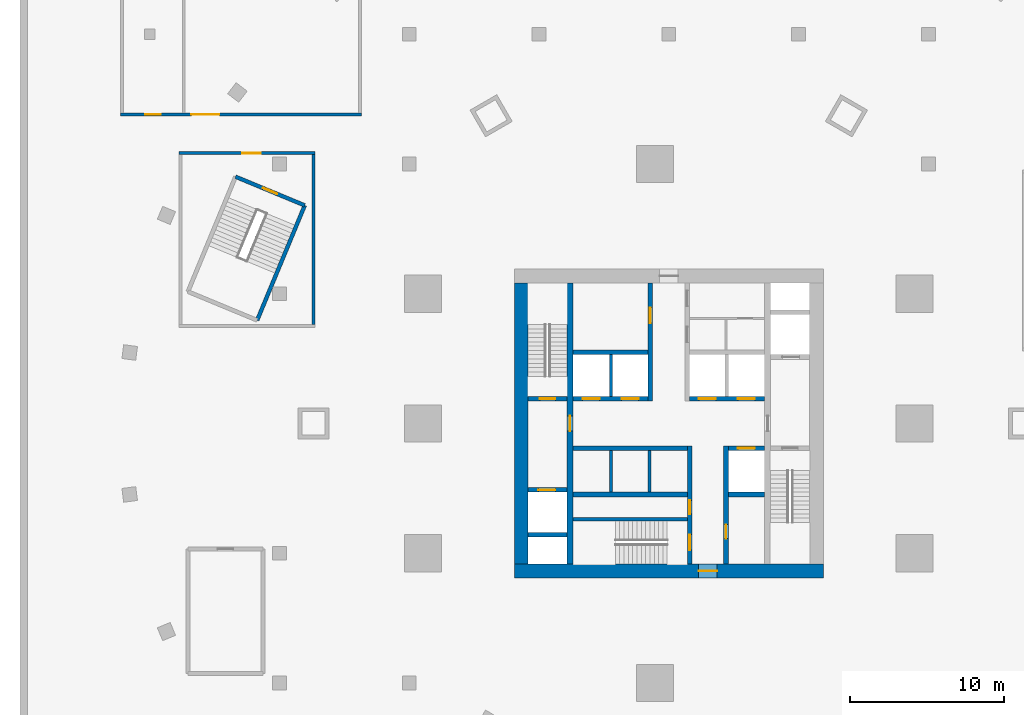
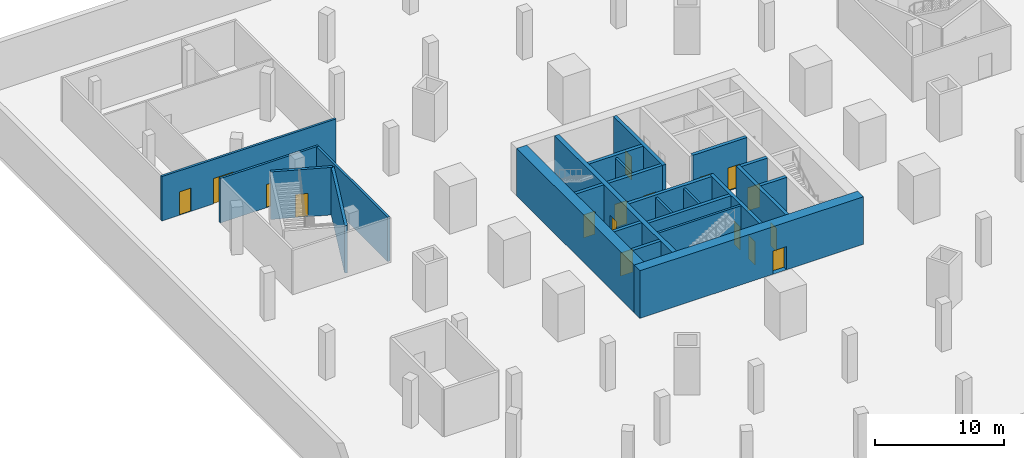
# One storey, part 3 of 9: 25 walls, 17 doors, 17 openings.
"""IFC4 building model written with IfcOpenShell, lengths in metres."""

import ifcopenshell
import ifcopenshell.guid

model = None  # the IFC model being written
_history = None  # IfcOwnerHistory: only IFC2X3 demands one
_inside = {}  # id of a spatial element -> (the spatial element, [elements in it])
_under = {}  # id of a project, library or spatial element -> (it, [spatial elements below it])
_declared = {}  # id of a project -> (the project, [libraries it declares])
_typed = {}  # id of a type object -> (the type object, [elements of that type])
_made_of = {}  # id of a material, layer set ... -> (it, [elements and type objects made of it])


def new_model(schema):
    """Start an empty IFC model of exactly this schema.

    Asked for "IFC4X3", IfcOpenShell would pick the latest addendum, in which some entities
    have other attributes; the version numbers below select the first issue.
    IFC2X3 requires an IfcOwnerHistory on every rooted entity: one is made here for all.
    """
    global model, _history
    if schema == "IFC4X3":
        model = ifcopenshell.file(schema_version=(4, 3, 0, 0))
    else:
        model = ifcopenshell.file(schema=schema)
    _inside.clear()
    _under.clear()
    _declared.clear()
    _typed.clear()
    _made_of.clear()
    _history = None
    if model.schema == "IFC2X3":
        org = make("IfcOrganization", Name="unknown")
        user = make(
            "IfcPersonAndOrganization",
            ThePerson=make("IfcPerson", FamilyName="unknown"),
            TheOrganization=org,
        )
        app = make(
            "IfcApplication",
            ApplicationDeveloper=org,
            Version="unknown",
            ApplicationFullName="unknown",
            ApplicationIdentifier="unknown",
        )
        _history = make(
            "IfcOwnerHistory",
            OwningUser=user,
            OwningApplication=app,
            ChangeAction="ADDED",
            CreationDate=0,
        )
    return model


def make(cls, **values):
    """One entity of the class cls with the attributes given. An attribute that is None is left unset."""
    return model.create_entity(
        cls, **{name: value for name, value in values.items() if value is not None}
    )


def rooted(cls, **values):
    """An entity with a GlobalId (a new one), such as an element, a storey or a relation."""
    return make(cls, GlobalId=ifcopenshell.guid.new(), OwnerHistory=_history, **values)


def si_unit(unit_type, name, prefix=None):
    """IfcSIUnit, for example si_unit("LENGTHUNIT", "METRE", prefix="MILLI")."""
    return make("IfcSIUnit", UnitType=unit_type, Prefix=prefix, Name=name)


def assignment(units):
    """IfcUnitAssignment: the units of a project."""
    return None if units is None else make("IfcUnitAssignment", Units=units)


def point(xyz):
    """IfcCartesianPoint."""
    return None if xyz is None else make("IfcCartesianPoint", Coordinates=xyz)


def direction(xyz):
    """IfcDirection."""
    return None if xyz is None else make("IfcDirection", DirectionRatios=xyz)


def frame(location, z_axis=None, x_axis=None):
    """IfcAxis2Placement3D, a coordinate frame: its origin and axes. An axis left out is left unset."""
    return make(
        "IfcAxis2Placement3D",
        Location=point(location),
        Axis=direction(z_axis),
        RefDirection=direction(x_axis),
    )


def frame_2d(location, x_axis=None):
    """IfcAxis2Placement2D, a coordinate frame in the plane: its origin and x axis."""
    return make(
        "IfcAxis2Placement2D", Location=point(location), RefDirection=direction(x_axis)
    )


def origin():
    """The frame at (0, 0, 0) with its axes left unset."""
    return frame((0.0, 0.0, 0.0))


def place(relative_to, where):
    """IfcLocalPlacement: puts the frame where relative to a parent placement (None: the world)."""
    return make(
        "IfcLocalPlacement", PlacementRelTo=relative_to, RelativePlacement=where
    )


def context(
    kind, dimensions, precision=None, world=None, true_north=None, identifier=None
):
    """IfcGeometricRepresentationContext, for example the 3D "Model" context."""
    return make(
        "IfcGeometricRepresentationContext",
        ContextIdentifier=identifier,
        ContextType=kind,
        CoordinateSpaceDimension=dimensions,
        Precision=precision,
        WorldCoordinateSystem=world,
        TrueNorth=true_north,
    )


def subcontext(parent, identifier, kind, view, scale=None):
    """IfcGeometricRepresentationSubContext, for example "Body" below "Model"."""
    return make(
        "IfcGeometricRepresentationSubContext",
        ContextIdentifier=identifier,
        ContextType=kind,
        ParentContext=parent,
        TargetScale=scale,
        TargetView=view,
    )


def project(units=None, contexts=None):
    """IfcProject with its units and contexts."""
    return rooted(
        "IfcProject",
        Name="project",
        RepresentationContexts=contexts,
        UnitsInContext=assignment(units),
    )


def spatial(cls, under=None, at=None, **own):
    """A site, building, storey or space (cls), placed at a placement, below another one or the project."""
    s = rooted(cls, ObjectPlacement=at, **own)
    if under is not None:
        _under.setdefault(under.id(), (under, []))[1].append(s)
    return s


def profile(cls, at=None, kind="AREA", **sizes):
    """A parametric profile (cls). Its sizes go by their IFC names, for example OverallWidth=200.0."""
    return make(cls, ProfileType=kind, Position=at, **sizes)


def rectangle(**sizes):
    """IfcRectangleProfileDef."""
    return profile("IfcRectangleProfileDef", **sizes)


def extrude(swept, where, along, depth):
    """IfcExtrudedAreaSolid: the profile swept, set in the frame where, extruded along a direction by depth."""
    return make(
        "IfcExtrudedAreaSolid",
        SweptArea=swept,
        Position=where,
        ExtrudedDirection=direction(along),
        Depth=depth,
    )


def shape(context_of_items, identifier, shape_type, items):
    """IfcShapeRepresentation: the items that make up one representation, for example the "Body"."""
    return make(
        "IfcShapeRepresentation",
        ContextOfItems=context_of_items,
        RepresentationIdentifier=identifier,
        RepresentationType=shape_type,
        Items=items,
    )


def material(Name=None, Category=None):
    """IfcMaterial."""
    return make("IfcMaterial", Name=Name, Category=Category)


def layer(
    of_material, thickness, ventilated=None, Name=None, Category=None, Priority=None
):
    """IfcMaterialLayer: one layer of a wall or slab, of a material (None: an air gap)."""
    return make(
        "IfcMaterialLayer",
        Material=of_material,
        LayerThickness=thickness,
        IsVentilated=ventilated,
        Name=Name,
        Category=Category,
        Priority=Priority,
    )


def layer_set(layers, Name=None):
    """IfcMaterialLayerSet."""
    return make("IfcMaterialLayerSet", MaterialLayers=layers, LayerSetName=Name)


def made_of(thing, what):
    """Note that an element or type object is made of a material, layer set ...; save() writes the relation."""
    if what is not None:
        _made_of.setdefault(what.id(), (what, []))[1].append(thing)
    return thing


def type_object(cls, material=None, **own):
    """A type object (cls), such as IfcWallType, which elements share."""
    return made_of(rooted(cls, **own), material)


def element(
    cls,
    number,
    at=None,
    inside=None,
    cuts=None,
    type_object=None,
    material=None,
    context=None,
    identifier="Body",
    shape_type=None,
    held_by="IfcProductDefinitionShape",
    body=None,
    shapes=None,
    **own,
):
    """One element of the class cls, such as IfcWall. Its Tag is "e" and its number.

    at: its placement. inside: the storey or other place that contains it. cuts: it is an
    opening in that element (IfcRelVoidsElement). A single representation is given by context,
    identifier, shape_type and body (its items); several are given by shapes. held_by: the class
    of the entity that holds the representations. save() writes the other relations.
    """
    e = rooted(cls, Tag="e%d" % number, ObjectPlacement=at, **own)
    if body is not None:
        shapes = [shape(context, identifier, shape_type, body)]
    if shapes is not None:
        e.Representation = make(held_by, Representations=shapes)
    if inside is not None:
        _inside.setdefault(inside.id(), (inside, []))[1].append(e)
    if cuts is not None:
        rooted(
            "IfcRelVoidsElement", RelatingBuildingElement=cuts, RelatedOpeningElement=e
        )
    if type_object is not None:
        _typed.setdefault(type_object.id(), (type_object, []))[1].append(e)
    return made_of(e, material)


def fill(opening, filler):
    """IfcRelFillsElement: the door or window that sits in an opening."""
    return rooted(
        "IfcRelFillsElement",
        RelatingOpeningElement=opening,
        RelatedBuildingElement=filler,
    )


def aggregate(whole, parts):
    """IfcRelAggregates: a whole, such as a stair, and the parts it consists of."""
    return rooted("IfcRelAggregates", RelatingObject=whole, RelatedObjects=parts)


def save(model, path):
    """Write the relations noted so far, then the file.

    IfcRelAggregates (storeys below a building ...), IfcRelContainedInSpatialStructure (elements
    in a storey), IfcRelDefinesByType, IfcRelAssociatesMaterial and IfcRelDeclares: one each for
    every whole, place, type object, material and project.
    """
    for whole, parts in _under.values():
        aggregate(whole, parts)
    for where, things in _inside.values():
        rooted(
            "IfcRelContainedInSpatialStructure",
            RelatedElements=things,
            RelatingStructure=where,
        )
    for kind, things in _typed.values():
        rooted("IfcRelDefinesByType", RelatedObjects=things, RelatingType=kind)
    for what, things in _made_of.values():
        rooted("IfcRelAssociatesMaterial", RelatedObjects=things, RelatingMaterial=what)
    for by, libraries in _declared.values():
        rooted("IfcRelDeclares", RelatingContext=by, RelatedDefinitions=libraries)
    model.write(path)


model = new_model("IFC4")

# Units and contexts
model_context = context("Model", 3, precision=1e-05, world=origin(), true_north=direction((0.0, 1.0)))
body_context = subcontext(model_context, "Body", "Model", "MODEL_VIEW")
ifc_project = project(units=[si_unit("LENGTHUNIT", "METRE"), si_unit("AREAUNIT", "SQUARE_METRE"), si_unit("VOLUMEUNIT", "CUBIC_METRE"), si_unit("PLANEANGLEUNIT", "RADIAN"), si_unit("MASSUNIT", "GRAM", prefix="KILO")], contexts=[model_context])

# Site, building, storey
site_placement = place(None, origin())
site = spatial("IfcSite", under=ifc_project, at=site_placement, CompositionType="ELEMENT")
building_placement = place(site_placement, origin())
building = spatial("IfcBuilding", under=site, at=building_placement, Name="Golbaran Civic Tower", CompositionType="ELEMENT")
storey_placement = place(building_placement, frame((0.0, 0.0, -9.0)))
storey = spatial("IfcBuildingStorey", under=building, at=storey_placement, Name="B2", CompositionType="ELEMENT", Elevation=-9.0)

# Wall, openings, doors
ifc_material_1 = material(Name="Concrete block, fire-rated", Category="concrete")
ifc_layer_1 = layer(ifc_material_1, 0.199951171875, Name="Concrete block, fire-rated")
ifc_layer_set_1 = layer_set([ifc_layer_1], Name="Concrete block, fire-rated")
wall_type_1 = type_object("IfcWallType", Name="BASEMENT ROOM WALL 200", PredefinedType="PARTITIONING", material=ifc_layer_set_1)
wall_1_placement = place(storey_placement, frame((-35.5, 20.0, 0.0), z_axis=(0.0, 0.0, 1.0), x_axis=(1.0, 0.0, 0.0)))
wall_1 = element("IfcWall", 1, at=wall_1_placement, inside=storey, type_object=wall_type_1, Name="Secure Archive wall B2", PredefinedType="PARTITIONING", context=body_context, shape_type="SweptSolid", body=[
    extrude(rectangle(XDim=15.60009765625, YDim=0.199951171875, at=frame_2d((7.800048828125, 0.0))), origin(), (0.0, 0.0, 1.0), 4.199951171875),
])
opening_1_placement = place(wall_1_placement, frame((4.60009765625, 0.0, 0.0)))
opening_1 = element("IfcOpeningElement", 2, at=opening_1_placement, cuts=wall_1, Name="Opening B2.03", PredefinedType="OPENING", context=body_context, shape_type="SweptSolid", body=[
    extrude(rectangle(XDim=1.800048828125, YDim=2.39990234375, at=frame_2d((0.89990234375, 1.199951171875))), frame((0.0, 0.10986328125, 0.0), z_axis=(0.0, -1.0, 0.0), x_axis=(1.0, 0.0, 0.0)), (0.0, 0.0, 1.0), 0.219970703125),
])
opening_2_placement = place(wall_1_placement, frame((1.60009765625, 0.0, 0.0)))
opening_2 = element("IfcOpeningElement", 3, at=opening_2_placement, cuts=wall_1, Name="Opening B2.04", PredefinedType="OPENING", context=body_context, shape_type="SweptSolid", body=[
    extrude(rectangle(XDim=1.0, YDim=2.199951171875, at=frame_2d((0.5, 1.10009765625))), frame((0.0, 0.10986328125, 0.0), z_axis=(0.0, -1.0, 0.0), x_axis=(1.0, 0.0, 0.0)), (0.0, 0.0, 1.0), 0.219970703125),
])
ifc_material_2 = material(Name="Steel door set, fire-rated", Category="steel")
door_type_1 = type_object("IfcDoorType", Name="BASEMENT ROOM DOOR 1000x2200", OperationType="SINGLE_SWING_LEFT", PredefinedType="DOOR", material=ifc_material_2)
door_1_placement = place(opening_2_placement, origin())
door_1 = element("IfcDoor", 4, at=door_1_placement, inside=storey, type_object=door_type_1, Name="Records Store door B2", OperationType="SINGLE_SWING_LEFT", OverallHeight=2.199951171875, OverallWidth=1.0, PredefinedType="DOOR", context=body_context, shape_type="SweptSolid", body=[
    extrude(rectangle(XDim=1.0, YDim=2.199951171875, at=frame_2d((0.5, 1.10009765625))), frame((0.0, 0.02490234375, 0.0), z_axis=(0.0, -1.0, 0.0), x_axis=(1.0, 0.0, 0.0)), (0.0, 0.0, 1.0), 0.050048828125),
])
fill(opening_2, door_1)
door_type_2 = type_object("IfcDoorType", Name="BASEMENT ROOM DOUBLE DOOR 1800x2400", OperationType="DOUBLE_DOOR_SINGLE_SWING", PredefinedType="DOOR", material=ifc_material_2)
door_2_placement = place(opening_1_placement, origin())
door_2 = element("IfcDoor", 5, at=door_2_placement, inside=storey, type_object=door_type_2, Name="Secure Archive door B2", OperationType="DOUBLE_DOOR_SINGLE_SWING", OverallHeight=2.39990234375, OverallWidth=1.800048828125, PredefinedType="DOOR", context=body_context, shape_type="SweptSolid", body=[
    extrude(rectangle(XDim=1.800048828125, YDim=2.39990234375, at=frame_2d((0.89990234375, 1.199951171875))), frame((0.0, 0.02490234375, 0.0), z_axis=(0.0, -1.0, 0.0), x_axis=(1.0, 0.0, 0.0)), (0.0, 0.0, 1.0), 0.050048828125),
])
fill(opening_1, door_2)

# Wall, opening, door
ifc_material_3 = material(Name="Concrete C50/60", Category="concrete")
ifc_layer_2 = layer(ifc_material_3, 0.39990234375, Name="Concrete C50/60")
ifc_layer_set_2 = layer_set([ifc_layer_2], Name="Concrete C50/60")
wall_type_2 = type_object("IfcWallType", Name="CORE WALL CONCRETE 400", PredefinedType="SOLIDWALL", material=ifc_layer_set_2)
wall_2_placement = place(storey_placement, frame((-6.39990234375, -9.10009765625, 0.0), z_axis=(0.0, 0.0, 1.0), x_axis=(0.0, 1.0, 0.0)))
wall_2 = element("IfcWall", 6, at=wall_2_placement, inside=storey, type_object=wall_type_2, Name="Core wall IW B2", PredefinedType="SOLIDWALL", context=body_context, shape_type="SweptSolid", body=[
    extrude(rectangle(XDim=18.2001953125, YDim=0.39990234375, at=frame_2d((9.10009765625, 0.0))), origin(), (0.0, 0.0, 1.0), 4.5),
])
opening_3_placement = place(wall_2_placement, frame((8.60009765625, 0.0, 0.0)))
opening_3 = element("IfcOpeningElement", 7, at=opening_3_placement, cuts=wall_2, Name="Opening B2.FL1", PredefinedType="OPENING", context=body_context, shape_type="SweptSolid", body=[
    extrude(rectangle(XDim=1.0, YDim=2.199951171875, at=frame_2d((0.5, 1.10009765625))), frame((0.0, 0.2099609375, 0.0), z_axis=(0.0, -1.0, 0.0), x_axis=(1.0, 0.0, 0.0)), (0.0, 0.0, 1.0), 0.419921875),
])
ifc_material_4 = material(Name="Timber door set in steel frame", Category="steel")
door_type_3 = type_object("IfcDoorType", Name="STAIR DOOR 1000x2200", OperationType="SINGLE_SWING_LEFT", PredefinedType="DOOR", material=ifc_material_4)
door_3_placement = place(opening_3_placement, origin())
door_3 = element("IfcDoor", 8, at=door_3_placement, inside=storey, type_object=door_type_3, Name="Fire-fighting lobby FL1 door", OperationType="SINGLE_SWING_LEFT", OverallHeight=2.199951171875, OverallWidth=1.0, PredefinedType="DOOR", context=body_context, shape_type="SweptSolid", body=[
    extrude(rectangle(XDim=1.0, YDim=2.199951171875, at=frame_2d((0.5, 1.10009765625))), frame((0.0, 0.02490234375, 0.0), z_axis=(0.0, -1.0, 0.0), x_axis=(1.0, 0.0, 0.0)), (0.0, 0.0, 1.0), 0.050048828125),
])
fill(opening_3, door_3)

ifc_layer_3 = layer(ifc_material_3, 0.89990234375, Name="Concrete C50/60")
ifc_layer_set_3 = layer_set([ifc_layer_3], Name="Concrete C50/60")
wall_type_3 = type_object("IfcWallType", Name="CORE WALL CONCRETE 900", PredefinedType="SOLIDWALL", material=ifc_layer_set_3)
wall_3_placement = place(storey_placement, frame((10.0, -9.550048828125, 0.0), z_axis=(0.0, 0.0, 1.0), x_axis=(-1.0, 0.0, 0.0)))
wall_3 = element("IfcWall", 9, at=wall_3_placement, inside=storey, type_object=wall_type_3, Name="Core wall CS B2", PredefinedType="SOLIDWALL", context=body_context, shape_type="SweptSolid", body=[
    extrude(rectangle(XDim=20.0, YDim=0.89990234375, at=frame_2d((10.0, 0.0))), origin(), (0.0, 0.0, 1.0), 4.5),
])
opening_4_placement = place(wall_3_placement, frame((6.875, 0.0, 0.0)))
opening_4 = element("IfcOpeningElement", 10, at=opening_4_placement, cuts=wall_3, Name="Opening B2.CS", PredefinedType="OPENING", context=body_context, shape_type="SweptSolid", body=[
    extrude(rectangle(XDim=1.199951171875, YDim=2.199951171875, at=frame_2d((0.60009765625, 1.10009765625))), frame((0.0, 0.4599609375, 0.0), z_axis=(0.0, -1.0, 0.0), x_axis=(1.0, 0.0, 0.0)), (0.0, 0.0, 1.0), 0.919921875),
])
door_type_4 = type_object("IfcDoorType", Name="CORE DOOR 1200x2200", OperationType="DOUBLE_DOOR_SINGLE_SWING", PredefinedType="DOOR", material=ifc_material_4)
door_4_placement = place(opening_4_placement, origin())
door_4 = element("IfcDoor", 11, at=door_4_placement, inside=storey, type_object=door_type_4, Name="Core door south", OperationType="DOUBLE_DOOR_SINGLE_SWING", OverallHeight=2.199951171875, OverallWidth=1.199951171875, PredefinedType="DOOR", context=body_context, shape_type="SweptSolid", body=[
    extrude(rectangle(XDim=1.199951171875, YDim=2.199951171875, at=frame_2d((0.60009765625, 1.10009765625))), frame((0.0, 0.02490234375, 0.0), z_axis=(0.0, -1.0, 0.0), x_axis=(1.0, 0.0, 0.0)), (0.0, 0.0, 1.0), 0.050048828125),
])
fill(opening_4, door_4)

# Walls
wall_4_placement = place(storey_placement, frame((-9.550048828125, 9.10009765625, 0.0), z_axis=(0.0, 0.0, 1.0), x_axis=(0.0, -1.0, 0.0)))
element("IfcWall", 12, at=wall_4_placement, inside=storey, type_object=wall_type_3, Name="Core wall CW B2", PredefinedType="SOLIDWALL", context=body_context, shape_type="SweptSolid", body=[
    extrude(rectangle(XDim=18.2001953125, YDim=0.89990234375, at=frame_2d((9.10009765625, 0.0))), origin(), (0.0, 0.0, 1.0), 4.5),
])
ifc_material_5 = material(Name="Concrete block", Category="concrete")
ifc_layer_4 = layer(ifc_material_5, 0.199951171875, Name="Concrete block")
ifc_layer_set_4 = layer_set([ifc_layer_4], Name="Concrete block")
wall_type_4 = type_object("IfcWallType", Name="LIFT SEPARATOR WALL 200", PredefinedType="SOLIDWALL", material=ifc_layer_set_4)
for number, where, z_axis, x_axis, name in (
    (13, (-3.75, 1.75, 0.0), (0.0, 0.0, 1.0), (0.0, 1.0, 0.0), "Core partition SNW B2"),
    (14, (-3.75, -1.75, 0.0), (0.0, 0.0, 1.0), (0.0, -1.0, 0.0), "Core partition SSW B2"),
    (15, (-1.25, -1.75, 0.0), (0.0, 0.0, 1.0), (0.0, -1.0, 0.0), "Core partition SSM B2"),
):
    element("IfcWall", number, at=place(storey_placement, frame(where, z_axis=z_axis, x_axis=x_axis)), inside=storey, type_object=wall_type_4, Name=name, PredefinedType="SOLIDWALL", context=body_context, shape_type="SweptSolid", body=[
        extrude(rectangle(XDim=2.699951171875, YDim=0.199951171875, at=frame_2d((1.35009765625, 0.0))), origin(), (0.0, 0.0, 1.0), 4.25),
    ])
ifc_layer_5 = layer(ifc_material_3, 0.199951171875, Name="Concrete C50/60")
ifc_layer_set_5 = layer_set([ifc_layer_5], Name="Concrete C50/60")
wall_type_5 = type_object("IfcWallType", Name="SHAFT WALL CONCRETE 200", PredefinedType="SOLIDWALL", material=ifc_layer_set_5)
wall_5_placement = place(storey_placement, frame((-6.199951171875, -6.199951171875, 0.0), z_axis=(0.0, 0.0, 1.0), x_axis=(1.0, 0.0, 0.0)))
element("IfcWall", 16, at=wall_5_placement, inside=storey, type_object=wall_type_5, Name="Core wall S3N B2", PredefinedType="SOLIDWALL", context=body_context, shape_type="SweptSolid", body=[
    extrude(rectangle(XDim=7.39990234375, YDim=0.199951171875, at=frame_2d((3.699951171875, 0.0))), origin(), (0.0, 0.0, 1.0), 4.5),
])

# Wall, openings, doors
ifc_layer_6 = layer(ifc_material_3, 0.300048828125, Name="Concrete C50/60")
ifc_layer_set_6 = layer_set([ifc_layer_6], Name="Concrete C50/60")
wall_type_6 = type_object("IfcWallType", Name="SHAFT WALL CONCRETE 300", PredefinedType="SOLIDWALL", material=ifc_layer_set_6)
wall_6_placement = place(storey_placement, frame((-6.199951171875, 1.60009765625, 0.0), z_axis=(0.0, 0.0, 1.0), x_axis=(1.0, 0.0, 0.0)))
wall_6 = element("IfcWall", 17, at=wall_6_placement, inside=storey, type_object=wall_type_6, Name="Core wall FNW B2", PredefinedType="SOLIDWALL", context=body_context, shape_type="SweptSolid", body=[
    extrude(rectangle(XDim=4.849853515625, YDim=0.300048828125, at=frame_2d((2.4248046875, 0.0))), origin(), (0.0, 0.0, 1.0), 4.5),
])
opening_5_placement = place(wall_6_placement, frame((0.625, 0.0, 0.0)))
opening_5 = element("IfcOpeningElement", 18, at=opening_5_placement, cuts=wall_6, Name="Opening B2.LD-Z1L", PredefinedType="OPENING", context=body_context, shape_type="SweptSolid", body=[
    extrude(rectangle(XDim=1.10009765625, YDim=2.199951171875, at=frame_2d((0.550048828125, 1.10009765625))), frame((0.0, 0.159912109375, 0.0), z_axis=(0.0, -1.0, 0.0), x_axis=(1.0, 0.0, 0.0)), (0.0, 0.0, 1.0), 0.320068359375),
])
opening_6_placement = place(wall_6_placement, frame((3.14990234375, 0.0, 0.0)))
opening_6 = element("IfcOpeningElement", 19, at=opening_6_placement, cuts=wall_6, Name="Opening B2.LD-Z2L", PredefinedType="OPENING", context=body_context, shape_type="SweptSolid", body=[
    extrude(rectangle(XDim=1.10009765625, YDim=2.199951171875, at=frame_2d((0.550048828125, 1.10009765625))), frame((0.0, 0.159912109375, 0.0), z_axis=(0.0, -1.0, 0.0), x_axis=(1.0, 0.0, 0.0)), (0.0, 0.0, 1.0), 0.320068359375),
])
ifc_material_6 = material(Name="Stainless steel", Category="steel")
door_type_5 = type_object("IfcDoorType", Name="LIFT LANDING DOOR 1100x2200", OperationType="SLIDING_TO_LEFT", PredefinedType="DOOR", material=ifc_material_6)
door_5_placement = place(opening_5_placement, origin())
door_5 = element("IfcDoor", 20, at=door_5_placement, inside=storey, type_object=door_type_5, Name="Lift landing door Z1L", OperationType="SLIDING_TO_LEFT", OverallHeight=2.199951171875, OverallWidth=1.10009765625, PredefinedType="DOOR", context=body_context, shape_type="SweptSolid", body=[
    extrude(rectangle(XDim=1.10009765625, YDim=2.199951171875, at=frame_2d((0.550048828125, 1.10009765625))), frame((0.0, 0.02490234375, 0.0), z_axis=(0.0, -1.0, 0.0), x_axis=(1.0, 0.0, 0.0)), (0.0, 0.0, 1.0), 0.050048828125),
])
fill(opening_5, door_5)
door_6_placement = place(opening_6_placement, origin())
door_6 = element("IfcDoor", 21, at=door_6_placement, inside=storey, type_object=door_type_5, Name="Lift landing door Z2L", OperationType="SLIDING_TO_LEFT", OverallHeight=2.199951171875, OverallWidth=1.10009765625, PredefinedType="DOOR", context=body_context, shape_type="SweptSolid", body=[
    extrude(rectangle(XDim=1.10009765625, YDim=2.199951171875, at=frame_2d((0.550048828125, 1.10009765625))), frame((0.0, 0.02490234375, 0.0), z_axis=(0.0, -1.0, 0.0), x_axis=(1.0, 0.0, 0.0)), (0.0, 0.0, 1.0), 0.050048828125),
])
fill(opening_6, door_6)

wall_7_placement = place(storey_placement, frame((1.35009765625, 1.60009765625, 0.0), z_axis=(0.0, 0.0, 1.0), x_axis=(1.0, 0.0, 0.0)))
wall_7 = element("IfcWall", 22, at=wall_7_placement, inside=storey, type_object=wall_type_6, Name="Core wall FNE B2", PredefinedType="SOLIDWALL", context=body_context, shape_type="SweptSolid", body=[
    extrude(rectangle(XDim=4.849853515625, YDim=0.300048828125, at=frame_2d((2.4248046875, 0.0))), origin(), (0.0, 0.0, 1.0), 4.5),
])
opening_7_placement = place(wall_7_placement, frame((0.60009765625, 0.0, 0.0)))
opening_7 = element("IfcOpeningElement", 23, at=opening_7_placement, cuts=wall_7, Name="Opening B2.LD-Z3L", PredefinedType="OPENING", context=body_context, shape_type="SweptSolid", body=[
    extrude(rectangle(XDim=1.10009765625, YDim=2.199951171875, at=frame_2d((0.550048828125, 1.10009765625))), frame((0.0, 0.159912109375, 0.0), z_axis=(0.0, -1.0, 0.0), x_axis=(1.0, 0.0, 0.0)), (0.0, 0.0, 1.0), 0.320068359375),
])
opening_8_placement = place(wall_7_placement, frame((3.125, 0.0, 0.0)))
opening_8 = element("IfcOpeningElement", 24, at=opening_8_placement, cuts=wall_7, Name="Opening B2.LD-Z4L", PredefinedType="OPENING", context=body_context, shape_type="SweptSolid", body=[
    extrude(rectangle(XDim=1.10009765625, YDim=2.199951171875, at=frame_2d((0.550048828125, 1.10009765625))), frame((0.0, 0.159912109375, 0.0), z_axis=(0.0, -1.0, 0.0), x_axis=(1.0, 0.0, 0.0)), (0.0, 0.0, 1.0), 0.320068359375),
])
door_7_placement = place(opening_7_placement, origin())
door_7 = element("IfcDoor", 25, at=door_7_placement, inside=storey, type_object=door_type_5, Name="Lift landing door Z3L", OperationType="SLIDING_TO_LEFT", OverallHeight=2.199951171875, OverallWidth=1.10009765625, PredefinedType="DOOR", context=body_context, shape_type="SweptSolid", body=[
    extrude(rectangle(XDim=1.10009765625, YDim=2.199951171875, at=frame_2d((0.550048828125, 1.10009765625))), frame((0.0, 0.02490234375, 0.0), z_axis=(0.0, -1.0, 0.0), x_axis=(1.0, 0.0, 0.0)), (0.0, 0.0, 1.0), 0.050048828125),
])
fill(opening_7, door_7)
door_8_placement = place(opening_8_placement, origin())
door_8 = element("IfcDoor", 26, at=door_8_placement, inside=storey, type_object=door_type_5, Name="Lift landing door Z4L", OperationType="SLIDING_TO_LEFT", OverallHeight=2.199951171875, OverallWidth=1.10009765625, PredefinedType="DOOR", context=body_context, shape_type="SweptSolid", body=[
    extrude(rectangle(XDim=1.10009765625, YDim=2.199951171875, at=frame_2d((0.550048828125, 1.10009765625))), frame((0.0, 0.02490234375, 0.0), z_axis=(0.0, -1.0, 0.0), x_axis=(1.0, 0.0, 0.0)), (0.0, 0.0, 1.0), 0.050048828125),
])
fill(opening_8, door_8)

# Wall
wall_8_placement = place(storey_placement, frame((-6.199951171875, 4.60009765625, 0.0), z_axis=(0.0, 0.0, 1.0), x_axis=(1.0, 0.0, 0.0)))
element("IfcWall", 27, at=wall_8_placement, inside=storey, type_object=wall_type_6, Name="Core wall BNW B2", PredefinedType="SOLIDWALL", context=body_context, shape_type="SweptSolid", body=[
    extrude(rectangle(XDim=4.849853515625, YDim=0.300048828125, at=frame_2d((2.4248046875, 0.0))), origin(), (0.0, 0.0, 1.0), 4.5),
])

# Wall, opening, door
wall_9_placement = place(storey_placement, frame((-1.199951171875, 1.449951171875, 0.0), z_axis=(0.0, 0.0, 1.0), x_axis=(0.0, 1.0, 0.0)))
wall_9 = element("IfcWall", 28, at=wall_9_placement, inside=storey, type_object=wall_type_6, Name="Core wall PNW B2", PredefinedType="SOLIDWALL", context=body_context, shape_type="SweptSolid", body=[
    extrude(rectangle(XDim=7.650146484375, YDim=0.300048828125, at=frame_2d((3.8251953125, 0.0))), origin(), (0.0, 0.0, 1.0), 4.5),
])
opening_9_placement = place(wall_9_placement, frame((5.050048828125, 0.0, 0.0)))
opening_9 = element("IfcOpeningElement", 29, at=opening_9_placement, cuts=wall_9, Name="Opening B2.WCM", PredefinedType="OPENING", context=body_context, shape_type="SweptSolid", body=[
    extrude(rectangle(XDim=1.0, YDim=2.199951171875, at=frame_2d((0.5, 1.10009765625))), frame((0.0, 0.159912109375, 0.0), z_axis=(0.0, -1.0, 0.0), x_axis=(1.0, 0.0, 0.0)), (0.0, 0.0, 1.0), 0.320068359375),
])
door_type_6 = type_object("IfcDoorType", Name="TOILET DOOR 1000x2200", OperationType="SINGLE_SWING_LEFT", PredefinedType="DOOR", material=ifc_material_4)
door_9_placement = place(opening_9_placement, origin())
door_9 = element("IfcDoor", 30, at=door_9_placement, inside=storey, type_object=door_type_6, Name="North-west toilet block door", OperationType="SINGLE_SWING_RIGHT", OverallHeight=2.199951171875, OverallWidth=1.0, PredefinedType="DOOR", context=body_context, shape_type="SweptSolid", body=[
    extrude(rectangle(XDim=1.0, YDim=2.199951171875, at=frame_2d((0.5, 1.10009765625))), frame((0.0, 0.02490234375, 0.0), z_axis=(0.0, -1.0, 0.0), x_axis=(1.0, 0.0, 0.0)), (0.0, 0.0, 1.0), 0.050048828125),
])
fill(opening_9, door_9)

# Wall
wall_10_placement = place(storey_placement, frame((-6.199951171875, -1.60009765625, 0.0), z_axis=(0.0, 0.0, 1.0), x_axis=(1.0, 0.0, 0.0)))
element("IfcWall", 31, at=wall_10_placement, inside=storey, type_object=wall_type_6, Name="Core wall FSW B2", PredefinedType="SOLIDWALL", context=body_context, shape_type="SweptSolid", body=[
    extrude(rectangle(XDim=7.39990234375, YDim=0.300048828125, at=frame_2d((3.699951171875, 0.0))), origin(), (0.0, 0.0, 1.0), 4.5),
])

# Wall, opening, door
wall_11_placement = place(storey_placement, frame((3.85009765625, -1.60009765625, 0.0), z_axis=(0.0, 0.0, 1.0), x_axis=(1.0, 0.0, 0.0)))
wall_11 = element("IfcWall", 32, at=wall_11_placement, inside=storey, type_object=wall_type_6, Name="Core wall FSE B2", PredefinedType="SOLIDWALL", context=body_context, shape_type="SweptSolid", body=[
    extrude(rectangle(XDim=2.349853515625, YDim=0.300048828125, at=frame_2d((1.1748046875, 0.0))), origin(), (0.0, 0.0, 1.0), 4.5),
])
opening_10_placement = place(wall_11_placement, frame((0.625, 0.0, 0.0)))
opening_10 = element("IfcOpeningElement", 33, at=opening_10_placement, cuts=wall_11, Name="Opening B2.LD-V1", PredefinedType="OPENING", context=body_context, shape_type="SweptSolid", body=[
    extrude(rectangle(XDim=1.10009765625, YDim=2.199951171875, at=frame_2d((0.550048828125, 1.10009765625))), frame((0.0, 0.159912109375, 0.0), z_axis=(0.0, -1.0, 0.0), x_axis=(1.0, 0.0, 0.0)), (0.0, 0.0, 1.0), 0.320068359375),
])
door_10_placement = place(opening_10_placement, origin())
door_10 = element("IfcDoor", 34, at=door_10_placement, inside=storey, type_object=door_type_5, Name="Lift landing door V1", OperationType="SLIDING_TO_LEFT", OverallHeight=2.199951171875, OverallWidth=1.10009765625, PredefinedType="DOOR", context=body_context, shape_type="SweptSolid", body=[
    extrude(rectangle(XDim=1.10009765625, YDim=2.199951171875, at=frame_2d((0.550048828125, 1.10009765625))), frame((0.0, 0.02490234375, 0.0), z_axis=(0.0, -1.0, 0.0), x_axis=(1.0, 0.0, 0.0)), (0.0, 0.0, 1.0), 0.050048828125),
])
fill(opening_10, door_10)

# Walls
wall_12_placement = place(storey_placement, frame((-6.199951171875, -4.60009765625, 0.0), z_axis=(0.0, 0.0, 1.0), x_axis=(1.0, 0.0, 0.0)))
element("IfcWall", 35, at=wall_12_placement, inside=storey, type_object=wall_type_6, Name="Core wall BSW B2", PredefinedType="SOLIDWALL", context=body_context, shape_type="SweptSolid", body=[
    extrude(rectangle(XDim=7.39990234375, YDim=0.300048828125, at=frame_2d((3.699951171875, 0.0))), origin(), (0.0, 0.0, 1.0), 4.5),
])
wall_13_placement = place(storey_placement, frame((3.85009765625, -4.60009765625, 0.0), z_axis=(0.0, 0.0, 1.0), x_axis=(1.0, 0.0, 0.0)))
element("IfcWall", 36, at=wall_13_placement, inside=storey, type_object=wall_type_6, Name="Core wall BSE B2", PredefinedType="SOLIDWALL", context=body_context, shape_type="SweptSolid", body=[
    extrude(rectangle(XDim=2.349853515625, YDim=0.300048828125, at=frame_2d((1.1748046875, 0.0))), origin(), (0.0, 0.0, 1.0), 4.5),
])

# Wall, openings, doors
wall_14_placement = place(storey_placement, frame((1.35009765625, -1.449951171875, 0.0), z_axis=(0.0, 0.0, 1.0), x_axis=(0.0, -1.0, 0.0)))
wall_14 = element("IfcWall", 37, at=wall_14_placement, inside=storey, type_object=wall_type_6, Name="Core wall PSW B2", PredefinedType="SOLIDWALL", context=body_context, shape_type="SweptSolid", body=[
    extrude(rectangle(XDim=7.650146484375, YDim=0.300048828125, at=frame_2d((3.8251953125, 0.0))), origin(), (0.0, 0.0, 1.0), 4.5),
])
opening_11_placement = place(wall_14_placement, frame((5.75, 0.0, 0.0)))
opening_11 = element("IfcOpeningElement", 38, at=opening_11_placement, cuts=wall_14, Name="Opening B2.S3", PredefinedType="OPENING", context=body_context, shape_type="SweptSolid", body=[
    extrude(rectangle(XDim=1.0, YDim=2.199951171875, at=frame_2d((0.5, 1.10009765625))), frame((0.0, 0.159912109375, 0.0), z_axis=(0.0, -1.0, 0.0), x_axis=(1.0, 0.0, 0.0)), (0.0, 0.0, 1.0), 0.320068359375),
])
opening_12_placement = place(wall_14_placement, frame((3.52490234375, 0.0, 0.0)))
opening_12 = element("IfcOpeningElement", 39, at=opening_12_placement, cuts=wall_14, Name="Opening B2.RE", PredefinedType="OPENING", context=body_context, shape_type="SweptSolid", body=[
    extrude(rectangle(XDim=0.89990234375, YDim=2.199951171875, at=frame_2d((0.449951171875, 1.10009765625))), frame((0.0, 0.159912109375, 0.0), z_axis=(0.0, -1.0, 0.0), x_axis=(1.0, 0.0, 0.0)), (0.0, 0.0, 1.0), 0.320068359375),
])
door_type_7 = type_object("IfcDoorType", Name="RISER DOOR 900x2200", OperationType="SINGLE_SWING_LEFT", PredefinedType="DOOR", material=ifc_material_4)
door_11_placement = place(opening_12_placement, origin())
door_11 = element("IfcDoor", 40, at=door_11_placement, inside=storey, type_object=door_type_7, Name="Electrical riser door", OperationType="SINGLE_SWING_RIGHT", OverallHeight=2.199951171875, OverallWidth=0.89990234375, PredefinedType="DOOR", context=body_context, shape_type="SweptSolid", body=[
    extrude(rectangle(XDim=0.89990234375, YDim=2.199951171875, at=frame_2d((0.449951171875, 1.10009765625))), frame((0.0, 0.02490234375, 0.0), z_axis=(0.0, -1.0, 0.0), x_axis=(1.0, 0.0, 0.0)), (0.0, 0.0, 1.0), 0.050048828125),
])
fill(opening_12, door_11)
door_12_placement = place(opening_11_placement, origin())
door_12 = element("IfcDoor", 41, at=door_12_placement, inside=storey, type_object=door_type_3, Name="Stair S3 door", OperationType="SINGLE_SWING_RIGHT", OverallHeight=2.199951171875, OverallWidth=1.0, PredefinedType="DOOR", context=body_context, shape_type="SweptSolid", body=[
    extrude(rectangle(XDim=1.0, YDim=2.199951171875, at=frame_2d((0.5, 1.10009765625))), frame((0.0, 0.02490234375, 0.0), z_axis=(0.0, -1.0, 0.0), x_axis=(1.0, 0.0, 0.0)), (0.0, 0.0, 1.0), 0.050048828125),
])
fill(opening_11, door_12)

# Wall, opening, door
wall_15_placement = place(storey_placement, frame((3.699951171875, -1.449951171875, 0.0), z_axis=(0.0, 0.0, 1.0), x_axis=(0.0, -1.0, 0.0)))
wall_15 = element("IfcWall", 42, at=wall_15_placement, inside=storey, type_object=wall_type_6, Name="Core wall PSE B2", PredefinedType="SOLIDWALL", context=body_context, shape_type="SweptSolid", body=[
    extrude(rectangle(XDim=7.650146484375, YDim=0.300048828125, at=frame_2d((3.8251953125, 0.0))), origin(), (0.0, 0.0, 1.0), 4.5),
])
opening_13_placement = place(wall_15_placement, frame((5.10009765625, 0.0, 0.0)))
opening_13 = element("IfcOpeningElement", 43, at=opening_13_placement, cuts=wall_15, Name="Opening B2.RM", PredefinedType="OPENING", context=body_context, shape_type="SweptSolid", body=[
    extrude(rectangle(XDim=0.89990234375, YDim=2.199951171875, at=frame_2d((0.449951171875, 1.10009765625))), frame((0.0, 0.159912109375, 0.0), z_axis=(0.0, -1.0, 0.0), x_axis=(1.0, 0.0, 0.0)), (0.0, 0.0, 1.0), 0.320068359375),
])
door_13_placement = place(opening_13_placement, origin())
door_13 = element("IfcDoor", 44, at=door_13_placement, inside=storey, type_object=door_type_7, Name="Mechanical riser door", OperationType="SINGLE_SWING_RIGHT", OverallHeight=2.199951171875, OverallWidth=0.89990234375, PredefinedType="DOOR", context=body_context, shape_type="SweptSolid", body=[
    extrude(rectangle(XDim=0.89990234375, YDim=2.199951171875, at=frame_2d((0.449951171875, 1.10009765625))), frame((0.0, 0.02490234375, 0.0), z_axis=(0.0, -1.0, 0.0), x_axis=(1.0, 0.0, 0.0)), (0.0, 0.0, 1.0), 0.050048828125),
])
fill(opening_13, door_13)

wall_16_placement = place(storey_placement, frame((-9.10009765625, 1.60009765625, 0.0), z_axis=(0.0, 0.0, 1.0), x_axis=(1.0, 0.0, 0.0)))
wall_16 = element("IfcWall", 45, at=wall_16_placement, inside=storey, type_object=wall_type_6, Name="Core wall XW1 B2", PredefinedType="SOLIDWALL", context=body_context, shape_type="SweptSolid", body=[
    extrude(rectangle(XDim=2.5, YDim=0.300048828125, at=frame_2d((1.25, 0.0))), origin(), (0.0, 0.0, 1.0), 4.5),
])
opening_14_placement = place(wall_16_placement, frame((0.75, 0.0, 0.0)))
opening_14 = element("IfcOpeningElement", 46, at=opening_14_placement, cuts=wall_16, Name="Opening B2.S1", PredefinedType="OPENING", context=body_context, shape_type="SweptSolid", body=[
    extrude(rectangle(XDim=1.0, YDim=2.199951171875, at=frame_2d((0.5, 1.10009765625))), frame((0.0, 0.159912109375, 0.0), z_axis=(0.0, -1.0, 0.0), x_axis=(1.0, 0.0, 0.0)), (0.0, 0.0, 1.0), 0.320068359375),
])
door_14_placement = place(opening_14_placement, origin())
door_14 = element("IfcDoor", 47, at=door_14_placement, inside=storey, type_object=door_type_3, Name="Stair S1 door", OperationType="SINGLE_SWING_LEFT", OverallHeight=2.199951171875, OverallWidth=1.0, PredefinedType="DOOR", context=body_context, shape_type="SweptSolid", body=[
    extrude(rectangle(XDim=1.0, YDim=2.199951171875, at=frame_2d((0.5, 1.10009765625))), frame((0.0, 0.02490234375, 0.0), z_axis=(0.0, -1.0, 0.0), x_axis=(1.0, 0.0, 0.0)), (0.0, 0.0, 1.0), 0.050048828125),
])
fill(opening_14, door_14)

wall_17_placement = place(storey_placement, frame((-9.10009765625, -4.300048828125, 0.0), z_axis=(0.0, 0.0, 1.0), x_axis=(1.0, 0.0, 0.0)))
wall_17 = element("IfcWall", 48, at=wall_17_placement, inside=storey, type_object=wall_type_6, Name="Core wall XW2 B2", PredefinedType="SOLIDWALL", context=body_context, shape_type="SweptSolid", body=[
    extrude(rectangle(XDim=2.5, YDim=0.300048828125, at=frame_2d((1.25, 0.0))), origin(), (0.0, 0.0, 1.0), 4.5),
])
opening_15_placement = place(wall_17_placement, frame((0.64990234375, 0.0, 0.0)))
opening_15 = element("IfcOpeningElement", 49, at=opening_15_placement, cuts=wall_17, Name="Opening B2.LD-F1", PredefinedType="OPENING", context=body_context, shape_type="SweptSolid", body=[
    extrude(rectangle(XDim=1.10009765625, YDim=2.199951171875, at=frame_2d((0.550048828125, 1.10009765625))), frame((0.0, 0.159912109375, 0.0), z_axis=(0.0, -1.0, 0.0), x_axis=(1.0, 0.0, 0.0)), (0.0, 0.0, 1.0), 0.320068359375),
])
door_15_placement = place(opening_15_placement, origin())
door_15 = element("IfcDoor", 50, at=door_15_placement, inside=storey, type_object=door_type_5, Name="Lift landing door F1", OperationType="SLIDING_TO_LEFT", OverallHeight=2.199951171875, OverallWidth=1.10009765625, PredefinedType="DOOR", context=body_context, shape_type="SweptSolid", body=[
    extrude(rectangle(XDim=1.10009765625, YDim=2.199951171875, at=frame_2d((0.550048828125, 1.10009765625))), frame((0.0, 0.02490234375, 0.0), z_axis=(0.0, -1.0, 0.0), x_axis=(1.0, 0.0, 0.0)), (0.0, 0.0, 1.0), 0.050048828125),
])
fill(opening_15, door_15)

# Wall
wall_18_placement = place(storey_placement, frame((-9.10009765625, -7.199951171875, 0.0), z_axis=(0.0, 0.0, 1.0), x_axis=(1.0, 0.0, 0.0)))
element("IfcWall", 51, at=wall_18_placement, inside=storey, type_object=wall_type_6, Name="Core wall XW3 B2", PredefinedType="SOLIDWALL", context=body_context, shape_type="SweptSolid", body=[
    extrude(rectangle(XDim=2.5, YDim=0.300048828125, at=frame_2d((1.25, 0.0))), origin(), (0.0, 0.0, 1.0), 4.5),
])

# Wall, opening, door
ifc_layer_7 = layer(ifc_material_3, 0.25, Name="Concrete C50/60")
ifc_layer_set_7 = layer_set([ifc_layer_7], Name="Concrete C50/60")
wall_type_7 = type_object("IfcWallType", Name="STAIR ENCLOSURE WALL CONCRETE 250", PredefinedType="SOLIDWALL", material=ifc_layer_set_7)
wall_19_placement = place(storey_placement, frame((-28.046875, 15.97412109375, 0.0), z_axis=(0.0, 0.0, 1.0), x_axis=(0.923862828997, -0.382723755727, 0.0)))
wall_19 = element("IfcWall", 52, at=wall_19_placement, inside=storey, type_object=wall_type_7, Name="Stair P2 enclosure A B2", PredefinedType="SOLIDWALL", context=body_context, shape_type="SweptSolid", body=[
    extrude(rectangle(XDim=4.85009765625, YDim=0.25, at=frame_2d((2.425048828125, 0.0))), origin(), (0.0, 0.0, 1.0), 4.5),
])
opening_16_placement = place(wall_19_placement, frame((1.925048828125, 0.0, 0.0)))
opening_16 = element("IfcOpeningElement", 53, at=opening_16_placement, cuts=wall_19, Name="Opening B2.P2", PredefinedType="OPENING", context=body_context, shape_type="SweptSolid", body=[
    extrude(rectangle(XDim=1.0, YDim=2.199951171875, at=frame_2d((0.5, 1.10009765625))), frame((0.0, 0.135009765625, 0.0), z_axis=(0.0, -1.0, 0.0), x_axis=(1.0, 0.0, 0.0)), (0.0, 0.0, 1.0), 0.27001953125),
])
door_16_placement = place(opening_16_placement, origin())
door_16 = element("IfcDoor", 54, at=door_16_placement, inside=storey, type_object=door_type_3, Name="Stair P2 door", OperationType="SINGLE_SWING_LEFT", OverallHeight=2.199951171875, OverallWidth=1.0, PredefinedType="DOOR", context=body_context, shape_type="SweptSolid", body=[
    extrude(rectangle(XDim=1.0, YDim=2.199951171875, at=frame_2d((0.5, 1.10009765625))), frame((0.0, 0.02490234375, 0.0), z_axis=(0.0, -1.0, 0.0), x_axis=(1.0, 0.0, 0.0)), (0.0, 0.0, 1.0), 0.050048828125),
])
fill(opening_16, door_16)

# Walls
wall_20_placement = place(storey_placement, frame((-23.566162109375, 14.117919921875, 0.0), z_axis=(0.0, 0.0, 1.0), x_axis=(-0.382689294869, -0.923877104161, 0.0)))
element("IfcWall", 55, at=wall_20_placement, inside=storey, type_object=wall_type_7, Name="Stair P2 enclosure B B2", PredefinedType="SOLIDWALL", context=body_context, shape_type="SweptSolid", body=[
    extrude(rectangle(XDim=8.0498046875, YDim=0.25, at=frame_2d((4.02490234375, 0.0))), origin(), (0.0, 0.0, 1.0), 4.5),
])
ifc_material_7 = material(Name="Reinforced blockwork, fire-rated", Category="masonry")
ifc_layer_8 = layer(ifc_material_7, 0.199951171875, Name="Reinforced blockwork, fire-rated")
ifc_layer_set_8 = layer_set([ifc_layer_8], Name="Reinforced blockwork, fire-rated")
wall_type_8 = type_object("IfcWallType", Name="STAIR LOBBY WALL 200", PredefinedType="PARTITIONING", material=ifc_layer_set_8)
wall_21_placement = place(storey_placement, frame((-23.0, 6.39990234375, 0.0), z_axis=(0.0, 0.0, 1.0), x_axis=(0.0, 1.0, 0.0)))
element("IfcWall", 56, at=wall_21_placement, inside=storey, type_object=wall_type_8, Name="Stair P2 lobby wall B2", PredefinedType="PARTITIONING", context=body_context, shape_type="SweptSolid", body=[
    extrude(rectangle(XDim=11.0, YDim=0.199951171875, at=frame_2d((5.5, 0.0))), origin(), (0.0, 0.0, 1.0), 4.199951171875),
])

# Wall, opening, door
wall_22_placement = place(storey_placement, frame((-22.89990234375, 17.5, 0.0), z_axis=(0.0, 0.0, 1.0), x_axis=(-1.0, 0.0, 0.0)))
wall_22 = element("IfcWall", 57, at=wall_22_placement, inside=storey, type_object=wall_type_8, Name="Stair P2 lobby wall B2", PredefinedType="PARTITIONING", context=body_context, shape_type="SweptSolid", body=[
    extrude(rectangle(XDim=8.800048828125, YDim=0.199951171875, at=frame_2d((4.39990234375, 0.0))), origin(), (0.0, 0.0, 1.0), 4.199951171875),
])
opening_17_placement = place(wall_22_placement, frame((3.5, 0.0, 0.0)))
opening_17 = element("IfcOpeningElement", 58, at=opening_17_placement, cuts=wall_22, Name="Opening B2.06", PredefinedType="OPENING", context=body_context, shape_type="SweptSolid", body=[
    extrude(rectangle(XDim=1.199951171875, YDim=2.199951171875, at=frame_2d((0.60009765625, 1.10009765625))), frame((0.0, 0.10986328125, 0.0), z_axis=(0.0, -1.0, 0.0), x_axis=(1.0, 0.0, 0.0)), (0.0, 0.0, 1.0), 0.219970703125),
])
ifc_material_8 = material(Name="Steel door set, fire-rated, self-closing", Category="steel")
door_type_8 = type_object("IfcDoorType", Name="STAIR LOBBY FIRE DOOR 1200x2200", OperationType="SINGLE_SWING_LEFT", PredefinedType="DOOR", material=ifc_material_8)
door_17_placement = place(opening_17_placement, origin())
door_17 = element("IfcDoor", 59, at=door_17_placement, inside=storey, type_object=door_type_8, Name="Stair P2 lobby door B2", OperationType="SINGLE_SWING_LEFT", OverallHeight=2.199951171875, OverallWidth=1.199951171875, PredefinedType="DOOR", context=body_context, shape_type="SweptSolid", body=[
    extrude(rectangle(XDim=1.199951171875, YDim=2.199951171875, at=frame_2d((0.60009765625, 1.10009765625))), frame((0.0, 0.02490234375, 0.0), z_axis=(0.0, -1.0, 0.0), x_axis=(1.0, 0.0, 0.0)), (0.0, 0.0, 1.0), 0.050048828125),
])
fill(opening_17, door_17)

save(model, "model.ifc")
